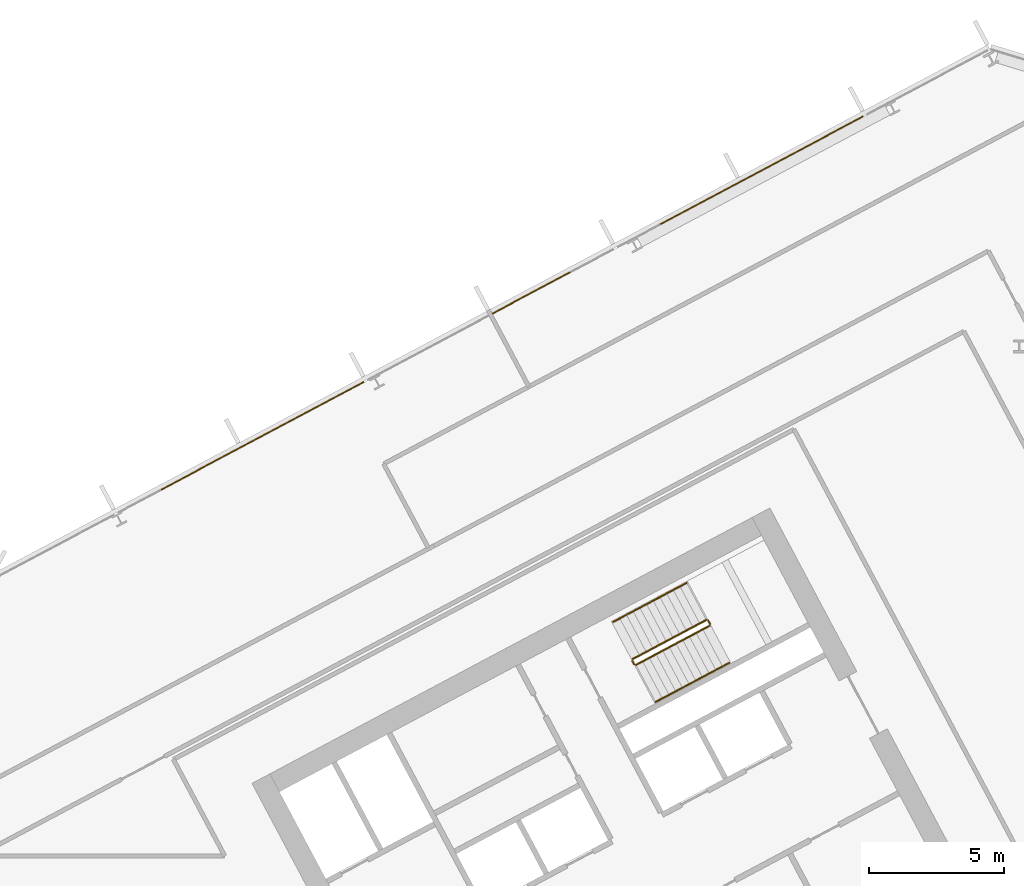
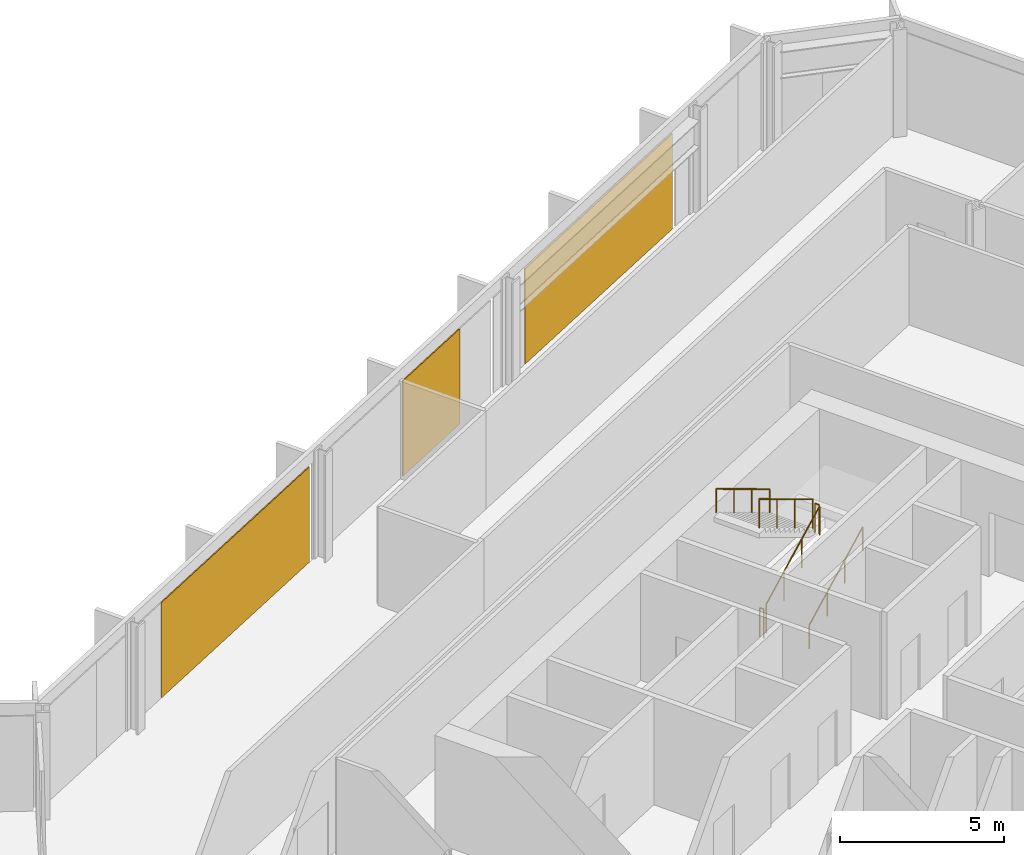
# One storey, part 27 of 28: 6 railings, 3 coverings, 1 element without a shape of its own.
"""IFC4 building model written with IfcOpenShell, lengths in metres."""

from ifc_helpers import new_model, si_unit, direction, frame, origin, origin_2d, place, context, subcontext, project, spatial, polyline, rectangle, outline, extrude, material, layer, layer_set, type_object, element, aggregate, save


model = new_model("IFC4")

# Units and contexts
model_context = context("Model", 3, precision=1e-05, world=origin(), true_north=direction((0.0, 1.0)))
body_context = subcontext(model_context, "Body", "Model", "MODEL_VIEW")
ifc_project = project(units=[si_unit("LENGTHUNIT", "METRE"), si_unit("AREAUNIT", "SQUARE_METRE"), si_unit("VOLUMEUNIT", "CUBIC_METRE"), si_unit("PLANEANGLEUNIT", "RADIAN"), si_unit("MASSUNIT", "GRAM", prefix="KILO")], contexts=[model_context])

# Site, building, storey
site_placement = place(None, origin())
site = spatial("IfcSite", under=ifc_project, at=site_placement, CompositionType="ELEMENT")
building_placement = place(site_placement, origin())
building = spatial("IfcBuilding", under=site, at=building_placement, Name="Cormorant Relay Tower", CompositionType="ELEMENT")
storey_placement = place(building_placement, frame((0.0, 0.0, 162.199951171875)))
storey = spatial("IfcBuildingStorey", under=building, at=storey_placement, Name="L34", CompositionType="ELEMENT", Elevation=162.199951171875)

# Curtain wall, coverings
ifc_material_1 = material(Name="Aluminium 6063-T6 anodised bronze", Category="aluminium")
ifc_layer_1 = layer(ifc_material_1, 0.199951171875)
ifc_layer_set_1 = layer_set([ifc_layer_1], Name="CW1 unitised bronze curtain wall with vertical fins")
curtain_wall_type = type_object("IfcCurtainWallType", Name="CW1 unitised bronze curtain wall with vertical fins", PredefinedType="NOTDEFINED", material=ifc_layer_set_1)
curtain_wall_placement = place(storey_placement, origin())
curtain_wall = element("IfcCurtainWall", 1, at=curtain_wall_placement, inside=storey, type_object=curtain_wall_type, Name="CW1 curtain wall 8", PredefinedType="NOTDEFINED")
ifc_material_2 = material(Name="Pale bronze anodised aluminium insulated panel", Category="aluminium")
ifc_layer_2 = layer(ifc_material_2, 0.0400390625)
ifc_layer_set_2 = layer_set([ifc_layer_2], Name="CW1 pale bronze insulated panel 40")
covering_type = type_object("IfcCoveringType", Name="CW1 pale bronze insulated panel 40", PredefinedType="CLADDING", material=ifc_layer_set_2)
covering_1_placement = place(storey_placement, frame((28.48828125, 38.9541015625, 0.0), z_axis=(0.0, 0.0, 1.0), x_axis=(-0.882947592859, -0.469471562786, 0.0)))
covering_1 = element("IfcCovering", 2, at=covering_1_placement, type_object=covering_type, Name="CW1 panel S02", PredefinedType="CLADDING", context=body_context, shape_type="SweptSolid", body=[
    extrude(rectangle(XDim=8.508544921875, YDim=0.0400390625, at=origin_2d()), origin(), (0.0, 0.0, 1.0), 3.550048828125),
])
covering_2_placement = place(storey_placement, frame((19.97314453125, 34.426513671875, 0.0), z_axis=(0.0, 0.0, 1.0), x_axis=(-0.882947592859, -0.469471562786, 0.0)))
covering_2 = element("IfcCovering", 3, at=covering_2_placement, type_object=covering_type, Name="CW1 panel S05", PredefinedType="CLADDING", context=body_context, shape_type="SweptSolid", body=[
    extrude(rectangle(XDim=3.279296875, YDim=0.0400390625, at=origin_2d()), origin(), (0.0, 0.0, 1.0), 3.550048828125),
])
covering_3_placement = place(storey_placement, frame((10.01953125, 29.134033203125, 0.0), z_axis=(0.0, 0.0, 1.0), x_axis=(-0.882947592859, -0.469471562786, 0.0)))
covering_3 = element("IfcCovering", 4, at=covering_3_placement, type_object=covering_type, Name="CW1 panel S07", PredefinedType="CLADDING", context=body_context, shape_type="SweptSolid", body=[
    extrude(rectangle(XDim=8.508544921875, YDim=0.0400390625, at=origin_2d()), origin(), (0.0, 0.0, 1.0), 3.550048828125),
])
aggregate(curtain_wall, [covering_1, covering_2, covering_3])

# Railings
ifc_material_3 = material(Name="Steel ASTM A572 Grade 50 (Fy 345 MPa)", Category="steel")
railing_type_1 = type_object("IfcRailingType", Name="Stair guard 1100", PredefinedType="GUARDRAIL", material=ifc_material_3)
railing_1_placement = place(storey_placement, frame((23.8408203125, 20.6611328125, 0.166748046875)))
element("IfcRailing", 5, at=railing_1_placement, inside=storey, type_object=railing_type_1, Name="L34 B2 stair guard 1", PredefinedType="GUARDRAIL", context=body_context, shape_type="SweptSolid", body=[
    extrude(outline(polyline([(0.022216796875, 0.00927734375), (0.00927734375, 0.022216796875), (-0.00927734375, 0.022216796875), (-0.022216796875, 0.00927734375), (-0.022216796875, -0.00927734375), (-0.00927734375, -0.022216796875), (0.00927734375, -0.022216796875), (0.022216796875, -0.00927734375), (0.022216796875, 0.00927734375)])), frame((0.0, 0.0, 1.076171875), z_axis=(0.758734504837, 0.403377838015, 0.511476559549), x_axis=(-0.469427602063, 0.882970965786, 0.0)), (0.0, 0.0, 1.0), 3.584228515625),
    extrude(outline(polyline([(0.019287109375, 0.008056640625), (0.008056640625, 0.019287109375), (-0.008056640625, 0.019287109375), (-0.019287109375, 0.008056640625), (-0.019287109375, -0.008056640625), (-0.008056640625, -0.019287109375), (0.008056640625, -0.019287109375), (0.019287109375, -0.008056640625), (0.019287109375, 0.008056640625)])), origin(), (0.0, 0.0, 1.0), 1.052001953125),
    extrude(outline(polyline([(0.019287109375, 0.008056640625), (0.008056640625, 0.019287109375), (-0.008056640625, 0.019287109375), (-0.019287109375, 0.008056640625), (-0.019287109375, -0.008056640625), (-0.008056640625, -0.019287109375), (0.008056640625, -0.019287109375), (0.019287109375, -0.008056640625), (0.019287109375, 0.008056640625)])), frame((0.906494140625, 0.48193359375, 0.611083984375)), (0.0, 0.0, 1.0), 1.052001953125),
    extrude(outline(polyline([(0.019287109375, 0.008056640625), (0.008056640625, 0.019287109375), (-0.008056640625, 0.019287109375), (-0.019287109375, 0.008056640625), (-0.019287109375, -0.008056640625), (-0.008056640625, -0.019287109375), (0.008056640625, -0.019287109375), (0.019287109375, -0.008056640625), (0.019287109375, 0.008056640625)])), frame((1.81298828125, 0.9638671875, 1.22216796875)), (0.0, 0.0, 1.0), 1.052001953125),
    extrude(outline(polyline([(0.019287109375, 0.008056640625), (0.008056640625, 0.019287109375), (-0.008056640625, 0.019287109375), (-0.019287109375, 0.008056640625), (-0.019287109375, -0.008056640625), (-0.008056640625, -0.019287109375), (0.008056640625, -0.019287109375), (0.019287109375, -0.008056640625), (0.019287109375, 0.008056640625)])), frame((2.719482421875, 1.44580078125, 1.833251953125)), (0.0, 0.0, 1.0), 1.052001953125),
])
railing_2_placement = place(storey_placement, frame((26.5810546875, 22.174560546875, 2.0)))
element("IfcRailing", 6, at=railing_2_placement, inside=storey, type_object=railing_type_1, Name="L34 B2 stair guard 2", PredefinedType="GUARDRAIL", context=body_context, shape_type="SweptSolid", body=[
    extrude(outline(polyline([(0.022216796875, 0.00927734375), (0.00927734375, 0.022216796875), (-0.00927734375, 0.022216796875), (-0.022216796875, 0.00927734375), (-0.022216796875, -0.00927734375), (-0.00927734375, -0.022216796875), (0.00927734375, -0.022216796875), (0.022216796875, -0.00927734375), (0.022216796875, 0.00927734375)])), frame((0.0, 0.0, 1.076171875), z_axis=(-0.469828648786, 0.882757634224, 0.0), x_axis=(-0.882757634224, -0.469828648786, 0.0)), (0.0, 0.0, 1.0), 0.150146484375),
    extrude(outline(polyline([(0.019287109375, 0.008056640625), (0.008056640625, 0.019287109375), (-0.008056640625, 0.019287109375), (-0.019287109375, 0.008056640625), (-0.019287109375, -0.008056640625), (-0.008056640625, -0.019287109375), (0.008056640625, -0.019287109375), (0.019287109375, -0.008056640625), (0.019287109375, 0.008056640625)])), origin(), (0.0, 0.0, 1.0), 1.052001953125),
    extrude(outline(polyline([(0.019287109375, 0.008056640625), (0.008056640625, 0.019287109375), (-0.008056640625, 0.019287109375), (-0.019287109375, 0.008056640625), (-0.019287109375, -0.008056640625), (-0.008056640625, -0.019287109375), (0.008056640625, -0.019287109375), (0.019287109375, -0.008056640625), (0.019287109375, 0.008056640625)])), frame((-0.070556640625, 0.132568359375, 0.0)), (0.0, 0.0, 1.0), 1.052001953125),
])
railing_3_placement = place(storey_placement, frame((26.44287109375, 22.32763671875, 2.166748046875)))
element("IfcRailing", 7, at=railing_3_placement, inside=storey, type_object=railing_type_1, Name="L34 B2 stair guard 3", PredefinedType="GUARDRAIL", context=body_context, shape_type="SweptSolid", body=[
    extrude(outline(polyline([(0.022216796875, 0.00927734375), (0.00927734375, 0.022216796875), (-0.00927734375, 0.022216796875), (-0.022216796875, 0.00927734375), (-0.022216796875, -0.00927734375), (-0.00927734375, -0.022216796875), (0.00927734375, -0.022216796875), (0.022216796875, -0.00927734375), (0.022216796875, 0.00927734375)])), frame((0.0, 0.0, 1.076171875), z_axis=(-0.758734504837, -0.403377838015, 0.511476559549), x_axis=(0.469427602063, -0.882970965786, 0.0)), (0.0, 0.0, 1.0), 3.584228515625),
    extrude(outline(polyline([(0.019287109375, 0.008056640625), (0.008056640625, 0.019287109375), (-0.008056640625, 0.019287109375), (-0.019287109375, 0.008056640625), (-0.019287109375, -0.008056640625), (-0.008056640625, -0.019287109375), (0.008056640625, -0.019287109375), (0.019287109375, -0.008056640625), (0.019287109375, 0.008056640625)])), origin(), (0.0, 0.0, 1.0), 1.052001953125),
    extrude(outline(polyline([(0.019287109375, 0.008056640625), (0.008056640625, 0.019287109375), (-0.008056640625, 0.019287109375), (-0.019287109375, 0.008056640625), (-0.019287109375, -0.008056640625), (-0.008056640625, -0.019287109375), (0.008056640625, -0.019287109375), (0.019287109375, -0.008056640625), (0.019287109375, 0.008056640625)])), frame((-0.906494140625, -0.48193359375, 0.611083984375)), (0.0, 0.0, 1.0), 1.052001953125),
    extrude(outline(polyline([(0.019287109375, 0.008056640625), (0.008056640625, 0.019287109375), (-0.008056640625, 0.019287109375), (-0.019287109375, 0.008056640625), (-0.019287109375, -0.008056640625), (-0.008056640625, -0.019287109375), (0.008056640625, -0.019287109375), (0.019287109375, -0.008056640625), (0.019287109375, 0.008056640625)])), frame((-1.81298828125, -0.9638671875, 1.22216796875)), (0.0, 0.0, 1.0), 1.052001953125),
    extrude(outline(polyline([(0.019287109375, 0.008056640625), (0.008056640625, 0.019287109375), (-0.008056640625, 0.019287109375), (-0.019287109375, 0.008056640625), (-0.019287109375, -0.008056640625), (-0.008056640625, -0.019287109375), (0.008056640625, -0.019287109375), (0.019287109375, -0.008056640625), (0.019287109375, 0.008056640625)])), frame((-2.719482421875, -1.44580078125, 1.833251953125)), (0.0, 0.0, 1.0), 1.052001953125),
])
railing_4_placement = place(storey_placement, frame((23.773193359375, 20.681640625, 0.0)))
element("IfcRailing", 8, at=railing_4_placement, inside=storey, type_object=railing_type_1, Name="L34 B2 stair guard 4", PredefinedType="GUARDRAIL", context=body_context, shape_type="SweptSolid", body=[
    extrude(outline(polyline([(0.022216796875, 0.00927734375), (0.00927734375, 0.022216796875), (-0.00927734375, 0.022216796875), (-0.022216796875, 0.00927734375), (-0.022216796875, -0.00927734375), (-0.00927734375, -0.022216796875), (0.00927734375, -0.022216796875), (0.022216796875, -0.00927734375), (0.022216796875, 0.00927734375)])), frame((0.0, 0.0, 1.076171875), z_axis=(-0.46856034887, 0.8834314911, 0.0), x_axis=(-0.8834314911, -0.46856034887, 0.0)), (0.0, 0.0, 1.0), 0.150146484375),
    extrude(outline(polyline([(0.019287109375, 0.008056640625), (0.008056640625, 0.019287109375), (-0.008056640625, 0.019287109375), (-0.019287109375, 0.008056640625), (-0.019287109375, -0.008056640625), (-0.008056640625, -0.019287109375), (0.008056640625, -0.019287109375), (0.019287109375, -0.008056640625), (0.019287109375, 0.008056640625)])), origin(), (0.0, 0.0, 1.0), 1.052001953125),
    extrude(outline(polyline([(0.019287109375, 0.008056640625), (0.008056640625, 0.019287109375), (-0.008056640625, 0.019287109375), (-0.019287109375, 0.008056640625), (-0.019287109375, -0.008056640625), (-0.008056640625, -0.019287109375), (0.008056640625, -0.019287109375), (0.019287109375, -0.008056640625), (0.019287109375, 0.008056640625)])), frame((-0.0703125, 0.132568359375, 0.0)), (0.0, 0.0, 1.0), 1.052001953125),
])
ifc_material_4 = material(Name="Steel ASTM A572 Grade 50 (Fy 345 MPa)", Category="steel")
railing_type_2 = type_object("IfcRailingType", Name="Stair handrail 900", PredefinedType="HANDRAIL", material=ifc_material_4)
railing_5_placement = place(storey_placement, frame((24.568603515625, 19.29248046875, 0.166748046875)))
element("IfcRailing", 9, at=railing_5_placement, inside=storey, type_object=railing_type_2, Name="L34 B2 stair handrail 1", PredefinedType="HANDRAIL", context=body_context, shape_type="SweptSolid", body=[
    extrude(outline(polyline([(0.022216796875, 0.00927734375), (0.00927734375, 0.022216796875), (-0.00927734375, 0.022216796875), (-0.022216796875, 0.00927734375), (-0.022216796875, -0.00927734375), (-0.00927734375, -0.022216796875), (0.00927734375, -0.022216796875), (0.022216796875, -0.00927734375), (0.022216796875, 0.00927734375)])), frame((0.0, 0.0, 0.8759765625), z_axis=(0.758713656843, 0.403434867536, 0.511462505542), x_axis=(-0.469489399267, 0.882938108802, 0.0)), (0.0, 0.0, 1.0), 3.584228515625),
    extrude(outline(polyline([(0.019287109375, 0.008056640625), (0.008056640625, 0.019287109375), (-0.008056640625, 0.019287109375), (-0.019287109375, 0.008056640625), (-0.019287109375, -0.008056640625), (-0.008056640625, -0.019287109375), (0.008056640625, -0.019287109375), (0.019287109375, -0.008056640625), (0.019287109375, 0.008056640625)])), origin(), (0.0, 0.0, 1.0), 0.851806640625),
    extrude(outline(polyline([(0.019287109375, 0.008056640625), (0.008056640625, 0.019287109375), (-0.008056640625, 0.019287109375), (-0.019287109375, 0.008056640625), (-0.019287109375, -0.008056640625), (-0.008056640625, -0.019287109375), (0.008056640625, -0.019287109375), (0.019287109375, -0.008056640625), (0.019287109375, 0.008056640625)])), frame((0.906494140625, 0.48193359375, 0.611083984375)), (0.0, 0.0, 1.0), 0.851806640625),
    extrude(outline(polyline([(0.019287109375, 0.008056640625), (0.008056640625, 0.019287109375), (-0.008056640625, 0.019287109375), (-0.019287109375, 0.008056640625), (-0.019287109375, -0.008056640625), (-0.008056640625, -0.019287109375), (0.008056640625, -0.019287109375), (0.019287109375, -0.008056640625), (0.019287109375, 0.008056640625)])), frame((1.81298828125, 0.964111328125, 1.22216796875)), (0.0, 0.0, 1.0), 0.851806640625),
    extrude(outline(polyline([(0.019287109375, 0.008056640625), (0.008056640625, 0.019287109375), (-0.008056640625, 0.019287109375), (-0.019287109375, 0.008056640625), (-0.019287109375, -0.008056640625), (-0.008056640625, -0.019287109375), (0.008056640625, -0.019287109375), (0.019287109375, -0.008056640625), (0.019287109375, 0.008056640625)])), frame((2.719482421875, 1.446044921875, 1.833251953125)), (0.0, 0.0, 1.0), 0.851806640625),
])
railing_6_placement = place(storey_placement, frame((25.71533203125, 23.6962890625, 2.166748046875)))
element("IfcRailing", 10, at=railing_6_placement, inside=storey, type_object=railing_type_2, Name="L34 B2 stair handrail 2", PredefinedType="HANDRAIL", context=body_context, shape_type="SweptSolid", body=[
    extrude(outline(polyline([(0.022216796875, 0.00927734375), (0.00927734375, 0.022216796875), (-0.00927734375, 0.022216796875), (-0.022216796875, 0.00927734375), (-0.022216796875, -0.00927734375), (-0.00927734375, -0.022216796875), (0.00927734375, -0.022216796875), (0.022216796875, -0.00927734375), (0.022216796875, 0.00927734375)])), frame((0.0, 0.0, 0.8759765625), z_axis=(-0.758713656843, -0.403434867536, 0.511462505542), x_axis=(0.469489399267, -0.882938108802, 0.0)), (0.0, 0.0, 1.0), 3.584228515625),
    extrude(outline(polyline([(0.019287109375, 0.008056640625), (0.008056640625, 0.019287109375), (-0.008056640625, 0.019287109375), (-0.019287109375, 0.008056640625), (-0.019287109375, -0.008056640625), (-0.008056640625, -0.019287109375), (0.008056640625, -0.019287109375), (0.019287109375, -0.008056640625), (0.019287109375, 0.008056640625)])), origin(), (0.0, 0.0, 1.0), 0.851806640625),
    extrude(outline(polyline([(0.019287109375, 0.008056640625), (0.008056640625, 0.019287109375), (-0.008056640625, 0.019287109375), (-0.019287109375, 0.008056640625), (-0.019287109375, -0.008056640625), (-0.008056640625, -0.019287109375), (0.008056640625, -0.019287109375), (0.019287109375, -0.008056640625), (0.019287109375, 0.008056640625)])), frame((-0.906494140625, -0.48193359375, 0.611083984375)), (0.0, 0.0, 1.0), 0.851806640625),
    extrude(outline(polyline([(0.019287109375, 0.008056640625), (0.008056640625, 0.019287109375), (-0.008056640625, 0.019287109375), (-0.019287109375, 0.008056640625), (-0.019287109375, -0.008056640625), (-0.008056640625, -0.019287109375), (0.008056640625, -0.019287109375), (0.019287109375, -0.008056640625), (0.019287109375, 0.008056640625)])), frame((-1.81298828125, -0.964111328125, 1.22216796875)), (0.0, 0.0, 1.0), 0.851806640625),
    extrude(outline(polyline([(0.019287109375, 0.008056640625), (0.008056640625, 0.019287109375), (-0.008056640625, 0.019287109375), (-0.019287109375, 0.008056640625), (-0.019287109375, -0.008056640625), (-0.008056640625, -0.019287109375), (0.008056640625, -0.019287109375), (0.019287109375, -0.008056640625), (0.019287109375, 0.008056640625)])), frame((-2.719482421875, -1.446044921875, 1.833251953125)), (0.0, 0.0, 1.0), 0.851806640625),
])

save(model, "model.ifc")
